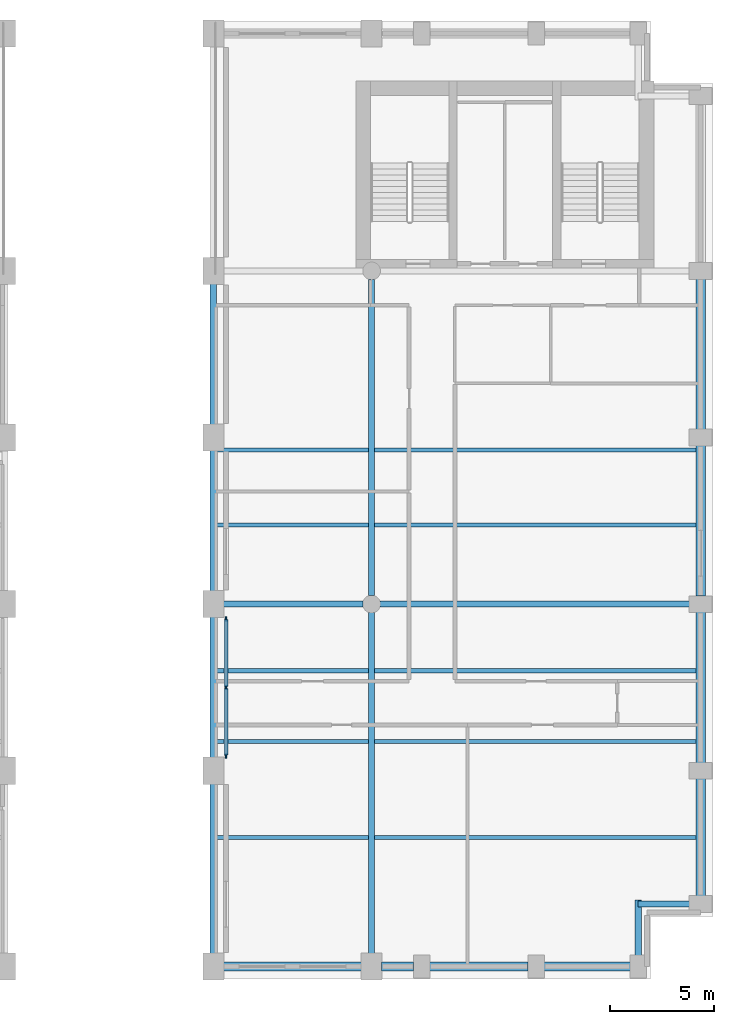
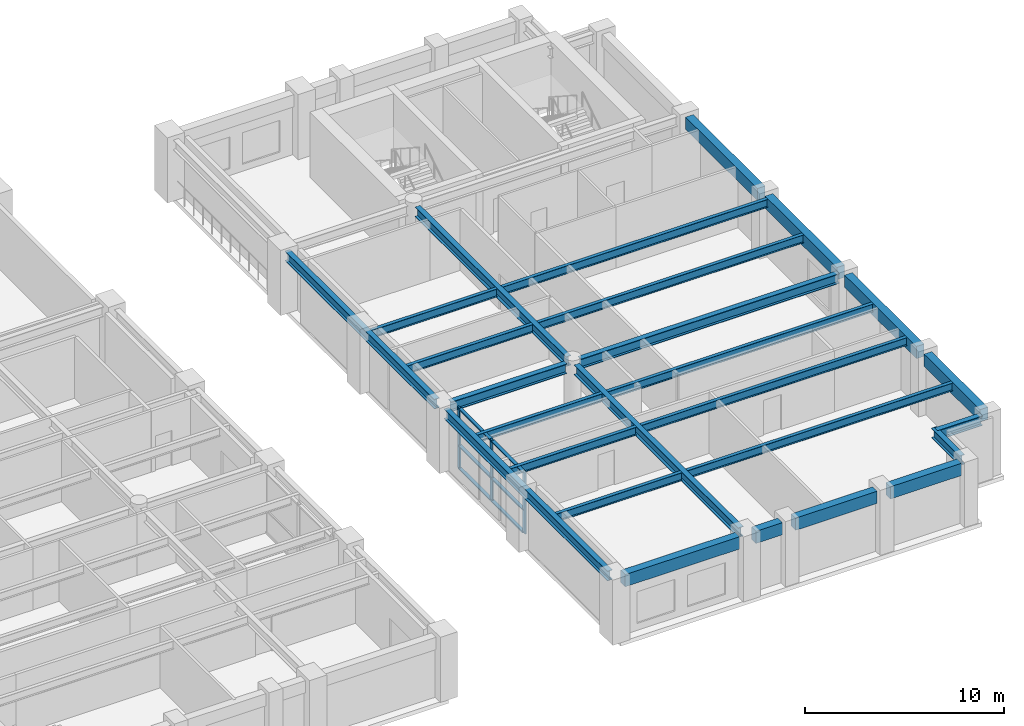
# One storey, part 3 of 10: 26 beams, 9 members, 1 element without a shape of its own.
"""IFC4 building model written with IfcOpenShell, lengths in metres."""

from ifc_helpers import new_model, si_unit, direction, frame, origin, origin_2d, place, context, subcontext, project, spatial, rectangle, i_section, extrude, material, layer, layer_set, material_profile, profile_set, type_object, element, aggregate, save


model = new_model("IFC4")

# Units and contexts
model_context = context("Model", 3, precision=1e-05, world=origin(), true_north=direction((0.0, 1.0)))
body_context = subcontext(model_context, "Body", "Model", "MODEL_VIEW")
ifc_project = project(units=[si_unit("LENGTHUNIT", "METRE"), si_unit("AREAUNIT", "SQUARE_METRE"), si_unit("VOLUMEUNIT", "CUBIC_METRE"), si_unit("PLANEANGLEUNIT", "RADIAN"), si_unit("MASSUNIT", "GRAM", prefix="KILO")], contexts=[model_context])

# Site, building, storey
site_placement = place(None, origin())
site = spatial("IfcSite", under=ifc_project, at=site_placement, CompositionType="ELEMENT")
building_placement = place(site_placement, origin())
building = spatial("IfcBuilding", under=site, at=building_placement, Name="Sulina Concourse Tower", CompositionType="ELEMENT")
storey_placement = place(building_placement, frame((0.0, 0.0, 190.60009765625)))
storey = spatial("IfcBuildingStorey", under=building, at=storey_placement, Name="L46", CompositionType="ELEMENT", Elevation=190.60009765625)

# Beams
ifc_material_1 = material(Name="Steel S355", Category="steel")
ifc_material_profile_1 = material_profile(ifc_material_1, i_section(OverallWidth=0.199951171875, OverallDepth=0.5, WebThickness=0.01025390625, FlangeThickness=0.01611328125, at=origin_2d()), Name="IPE 500")
ifc_profile_set_1 = profile_set([ifc_material_profile_1], Name="Steel S355")
beam_type_1 = type_object("IfcBeamType", Name="Composite Floor Joist IPE500", PredefinedType="JOIST", material=ifc_profile_set_1)
beam_1_placement = place(storey_placement, frame((34.14990234375, 6.800048828125, 3.5), z_axis=(1.0, 0.0, 0.0), x_axis=(0.0, 1.0, 0.0)))
element("IfcBeam", 1, at=beam_1_placement, inside=storey, type_object=beam_type_1, Name="FJ-J06-4-L46", PredefinedType="JOIST", context=body_context, shape_type="SweptSolid", body=[
    extrude(i_section(OverallWidth=0.199951171875, OverallDepth=0.5, WebThickness=0.01025390625, FlangeThickness=0.01611328125, at=origin_2d()), origin(), (0.0, 0.0, 1.0), 7.300048828125),
])
beam_2_placement = place(storey_placement, frame((41.75, 6.800048828125, 3.5), z_axis=(1.0, 0.0, 0.0), x_axis=(0.0, 1.0, 0.0)))
element("IfcBeam", 2, at=beam_2_placement, inside=storey, type_object=beam_type_1, Name="FJ-J06-5-L46", PredefinedType="JOIST", context=body_context, shape_type="SweptSolid", body=[
    extrude(i_section(OverallWidth=0.199951171875, OverallDepth=0.5, WebThickness=0.01025390625, FlangeThickness=0.01611328125, at=origin_2d()), origin(), (0.0, 0.0, 1.0), 15.425048828125),
])
beam_3_placement = place(storey_placement, frame((34.14990234375, 11.39990234375, 3.5), z_axis=(1.0, 0.0, 0.0), x_axis=(0.0, 1.0, 0.0)))
element("IfcBeam", 3, at=beam_3_placement, inside=storey, type_object=beam_type_1, Name="FJ-J11-4-L46", PredefinedType="JOIST", context=body_context, shape_type="SweptSolid", body=[
    extrude(i_section(OverallWidth=0.199951171875, OverallDepth=0.5, WebThickness=0.01025390625, FlangeThickness=0.01611328125, at=origin_2d()), origin(), (0.0, 0.0, 1.0), 7.300048828125),
])
beam_4_placement = place(storey_placement, frame((41.75, 11.39990234375, 3.5), z_axis=(1.0, 0.0, 0.0), x_axis=(0.0, 1.0, 0.0)))
element("IfcBeam", 4, at=beam_4_placement, inside=storey, type_object=beam_type_1, Name="FJ-J11-5-L46", PredefinedType="JOIST", context=body_context, shape_type="SweptSolid", body=[
    extrude(i_section(OverallWidth=0.199951171875, OverallDepth=0.5, WebThickness=0.01025390625, FlangeThickness=0.01611328125, at=origin_2d()), origin(), (0.0, 0.0, 1.0), 15.425048828125),
])
beam_5_placement = place(storey_placement, frame((34.14990234375, 14.800048828125, 3.5), z_axis=(1.0, 0.0, 0.0), x_axis=(0.0, 1.0, 0.0)))
element("IfcBeam", 5, at=beam_5_placement, inside=storey, type_object=beam_type_1, Name="FJ-J15-4-L46", PredefinedType="JOIST", context=body_context, shape_type="SweptSolid", body=[
    extrude(i_section(OverallWidth=0.199951171875, OverallDepth=0.5, WebThickness=0.01025390625, FlangeThickness=0.01611328125, at=origin_2d()), origin(), (0.0, 0.0, 1.0), 7.300048828125),
])
beam_6_placement = place(storey_placement, frame((41.75, 14.800048828125, 3.5), z_axis=(1.0, 0.0, 0.0), x_axis=(0.0, 1.0, 0.0)))
element("IfcBeam", 6, at=beam_6_placement, inside=storey, type_object=beam_type_1, Name="FJ-J15-5-L46", PredefinedType="JOIST", context=body_context, shape_type="SweptSolid", body=[
    extrude(i_section(OverallWidth=0.199951171875, OverallDepth=0.5, WebThickness=0.01025390625, FlangeThickness=0.01611328125, at=origin_2d()), origin(), (0.0, 0.0, 1.0), 15.425048828125),
])
beam_7_placement = place(storey_placement, frame((34.14990234375, 21.800048828125, 3.5), z_axis=(1.0, 0.0, 0.0), x_axis=(0.0, 1.0, 0.0)))
element("IfcBeam", 7, at=beam_7_placement, inside=storey, type_object=beam_type_1, Name="FJ-J22-4-L46", PredefinedType="JOIST", context=body_context, shape_type="SweptSolid", body=[
    extrude(i_section(OverallWidth=0.199951171875, OverallDepth=0.5, WebThickness=0.01025390625, FlangeThickness=0.01611328125, at=origin_2d()), origin(), (0.0, 0.0, 1.0), 7.300048828125),
])
beam_8_placement = place(storey_placement, frame((41.75, 21.800048828125, 3.5), z_axis=(1.0, 0.0, 0.0), x_axis=(0.0, 1.0, 0.0)))
element("IfcBeam", 8, at=beam_8_placement, inside=storey, type_object=beam_type_1, Name="FJ-J22-5-L46", PredefinedType="JOIST", context=body_context, shape_type="SweptSolid", body=[
    extrude(i_section(OverallWidth=0.199951171875, OverallDepth=0.5, WebThickness=0.01025390625, FlangeThickness=0.01611328125, at=origin_2d()), origin(), (0.0, 0.0, 1.0), 15.425048828125),
])
beam_9_placement = place(storey_placement, frame((34.14990234375, 25.39990234375, 3.5), z_axis=(1.0, 0.0, 0.0), x_axis=(0.0, 1.0, 0.0)))
element("IfcBeam", 9, at=beam_9_placement, inside=storey, type_object=beam_type_1, Name="FJ-J25-4-L46", PredefinedType="JOIST", context=body_context, shape_type="SweptSolid", body=[
    extrude(i_section(OverallWidth=0.199951171875, OverallDepth=0.5, WebThickness=0.01025390625, FlangeThickness=0.01611328125, at=origin_2d()), origin(), (0.0, 0.0, 1.0), 7.300048828125),
])
beam_10_placement = place(storey_placement, frame((41.75, 25.39990234375, 3.5), z_axis=(1.0, 0.0, 0.0), x_axis=(0.0, 1.0, 0.0)))
element("IfcBeam", 10, at=beam_10_placement, inside=storey, type_object=beam_type_1, Name="FJ-J25-5-L46", PredefinedType="JOIST", context=body_context, shape_type="SweptSolid", body=[
    extrude(i_section(OverallWidth=0.199951171875, OverallDepth=0.5, WebThickness=0.01025390625, FlangeThickness=0.01611328125, at=origin_2d()), origin(), (0.0, 0.0, 1.0), 15.425048828125),
])
ifc_material_2 = material(Name="Steel S355", Category="steel")
ifc_material_profile_2 = material_profile(ifc_material_2, i_section(OverallWidth=0.300048828125, OverallDepth=0.60009765625, WebThickness=0.015380859375, FlangeThickness=0.030029296875, at=origin_2d()), Name="HE 600 B")
ifc_profile_set_2 = profile_set([ifc_material_profile_2], Name="Steel S355")
beam_type_2 = type_object("IfcBeamType", Name="Floor Primary Girder Zone 3 HE600B", PredefinedType="BEAM", material=ifc_profile_set_2)
beam_11_placement = place(storey_placement, frame((54.39990234375, 3.60009765625, 3.449951171875), z_axis=(1.0, 0.0, 0.0), x_axis=(0.0, 1.0, 0.0)))
element("IfcBeam", 11, at=beam_11_placement, inside=storey, type_object=beam_type_2, Name="TIE-SE-L46", PredefinedType="BEAM", context=body_context, shape_type="SweptSolid", body=[
    extrude(i_section(OverallWidth=0.300048828125, OverallDepth=0.60009765625, WebThickness=0.015380859375, FlangeThickness=0.030029296875, at=origin_2d()), origin(), (0.0, 0.0, 1.0), 2.6201171875),
])
beam_12_placement = place(storey_placement, frame((54.39990234375, 0.97998046875, 3.449951171875), z_axis=(0.0, 1.0, 0.0), x_axis=(-1.0, 0.0, 0.0)))
element("IfcBeam", 12, at=beam_12_placement, inside=storey, type_object=beam_type_2, Name="TIE-SES-L46", PredefinedType="BEAM", context=body_context, shape_type="SweptSolid", body=[
    extrude(i_section(OverallWidth=0.300048828125, OverallDepth=0.60009765625, WebThickness=0.015380859375, FlangeThickness=0.030029296875, at=origin_2d()), origin(), (0.0, 0.0, 1.0), 2.820068359375),
])
beam_13_placement = place(storey_placement, frame((34.47998046875, 18.0, 3.449951171875), z_axis=(1.0, 0.0, 0.0), x_axis=(0.0, 1.0, 0.0)))
element("IfcBeam", 13, at=beam_13_placement, inside=storey, type_object=beam_type_2, Name="FG-EW4-L46", PredefinedType="BEAM", context=body_context, shape_type="SweptSolid", body=[
    extrude(i_section(OverallWidth=0.300048828125, OverallDepth=0.60009765625, WebThickness=0.015380859375, FlangeThickness=0.030029296875, at=origin_2d()), origin(), (0.0, 0.0, 1.0), 6.715087890625),
])
beam_14_placement = place(storey_placement, frame((42.0048828125, 18.0, 3.449951171875), z_axis=(1.0, 0.0, 0.0), x_axis=(0.0, 1.0, 0.0)))
element("IfcBeam", 14, at=beam_14_placement, inside=storey, type_object=beam_type_2, Name="FG-EW5-L46", PredefinedType="BEAM", context=body_context, shape_type="SweptSolid", body=[
    extrude(i_section(OverallWidth=0.300048828125, OverallDepth=0.60009765625, WebThickness=0.015380859375, FlangeThickness=0.030029296875, at=origin_2d()), origin(), (0.0, 0.0, 1.0), 15.01513671875),
])
beam_15_placement = place(storey_placement, frame((34.0, 1.080078125, 3.449951171875), z_axis=(0.0, 1.0, 0.0), x_axis=(-1.0, 0.0, 0.0)))
element("IfcBeam", 15, at=beam_15_placement, inside=storey, type_object=beam_type_2, Name="FG-NSA-34-L46", PredefinedType="BEAM", context=body_context, shape_type="SweptSolid", body=[
    extrude(i_section(OverallWidth=0.300048828125, OverallDepth=0.60009765625, WebThickness=0.015380859375, FlangeThickness=0.030029296875, at=origin_2d()), origin(), (0.0, 0.0, 1.0), 16.43994140625),
])
beam_16_placement = place(storey_placement, frame((34.0, 18.47998046875, 3.449951171875), z_axis=(0.0, 1.0, 0.0), x_axis=(-1.0, 0.0, 0.0)))
element("IfcBeam", 16, at=beam_16_placement, inside=storey, type_object=beam_type_2, Name="FG-NSB-34-L46", PredefinedType="BEAM", context=body_context, shape_type="SweptSolid", body=[
    extrude(i_section(OverallWidth=0.300048828125, OverallDepth=0.60009765625, WebThickness=0.015380859375, FlangeThickness=0.030029296875, at=origin_2d()), origin(), (0.0, 0.0, 1.0), 15.0400390625),
])
beam_17_placement = place(storey_placement, frame((41.60009765625, 1.080078125, 3.449951171875), z_axis=(0.0, 1.0, 0.0), x_axis=(-1.0, 0.0, 0.0)))
element("IfcBeam", 17, at=beam_17_placement, inside=storey, type_object=beam_type_2, Name="FG-NSA-41-L46", PredefinedType="BEAM", context=body_context, shape_type="SweptSolid", body=[
    extrude(i_section(OverallWidth=0.300048828125, OverallDepth=0.60009765625, WebThickness=0.015380859375, FlangeThickness=0.030029296875, at=origin_2d()), origin(), (0.0, 0.0, 1.0), 16.514892578125),
])
beam_18_placement = place(storey_placement, frame((41.60009765625, 18.405029296875, 3.449951171875), z_axis=(0.0, 1.0, 0.0), x_axis=(-1.0, 0.0, 0.0)))
element("IfcBeam", 18, at=beam_18_placement, inside=storey, type_object=beam_type_2, Name="FG-NSB-41-L46", PredefinedType="BEAM", context=body_context, shape_type="SweptSolid", body=[
    extrude(i_section(OverallWidth=0.300048828125, OverallDepth=0.60009765625, WebThickness=0.015380859375, FlangeThickness=0.030029296875, at=origin_2d()), origin(), (0.0, 0.0, 1.0), 15.18994140625),
])
ifc_material_3 = material(Name="Precast concrete C50/60", Category="concrete")
ifc_material_profile_3 = material_profile(ifc_material_3, rectangle(XDim=0.449951171875, YDim=0.75, at=origin_2d()), Name="RC 450x750")
ifc_profile_set_3 = profile_set([ifc_material_profile_3], Name="Precast concrete C50/60")
beam_type_3 = type_object("IfcBeamType", Name="Upper Precast Spandrel Edge Beam 450x750", PredefinedType="BEAM", material=ifc_profile_set_3)
beam_19_placement = place(storey_placement, frame((34.47998046875, 0.60009765625, 3.375), z_axis=(1.0, 0.0, 0.0), x_axis=(0.0, 1.0, 0.0)))
element("IfcBeam", 19, at=beam_19_placement, inside=storey, type_object=beam_type_3, Name="SP-S6-L46", PredefinedType="BEAM", context=body_context, shape_type="SweptSolid", body=[
    extrude(rectangle(XDim=0.449951171875, YDim=0.75, at=origin_2d()), origin(), (0.0, 0.0, 1.0), 6.64013671875),
])
beam_20_placement = place(storey_placement, frame((42.080078125, 0.60009765625, 3.375), z_axis=(1.0, 0.0, 0.0), x_axis=(0.0, 1.0, 0.0)))
element("IfcBeam", 20, at=beam_20_placement, inside=storey, type_object=beam_type_3, Name="SP-S7-L46", PredefinedType="BEAM", context=body_context, shape_type="SweptSolid", body=[
    extrude(rectangle(XDim=0.449951171875, YDim=0.75, at=origin_2d()), origin(), (0.0, 0.0, 1.0), 1.5400390625),
])
beam_21_placement = place(storey_placement, frame((44.3798828125, 0.60009765625, 3.375), z_axis=(1.0, 0.0, 0.0), x_axis=(0.0, 1.0, 0.0)))
element("IfcBeam", 21, at=beam_21_placement, inside=storey, type_object=beam_type_3, Name="SP-S8-L46", PredefinedType="BEAM", context=body_context, shape_type="SweptSolid", body=[
    extrude(rectangle(XDim=0.449951171875, YDim=0.75, at=origin_2d()), origin(), (0.0, 0.0, 1.0), 4.740234375),
])
beam_22_placement = place(storey_placement, frame((49.8798828125, 0.60009765625, 3.375), z_axis=(1.0, 0.0, 0.0), x_axis=(0.0, 1.0, 0.0)))
element("IfcBeam", 22, at=beam_22_placement, inside=storey, type_object=beam_type_3, Name="SP-S9-L46", PredefinedType="BEAM", context=body_context, shape_type="SweptSolid", body=[
    extrude(rectangle(XDim=0.449951171875, YDim=0.75, at=origin_2d()), origin(), (0.0, 0.0, 1.0), 4.14013671875),
])
beam_23_placement = place(storey_placement, frame((57.39990234375, 3.97998046875, 3.375), z_axis=(0.0, 1.0, 0.0), x_axis=(-1.0, 0.0, 0.0)))
element("IfcBeam", 23, at=beam_23_placement, inside=storey, type_object=beam_type_3, Name="SP-E1-L46", PredefinedType="BEAM", context=body_context, shape_type="SweptSolid", body=[
    extrude(rectangle(XDim=0.449951171875, YDim=0.75, at=origin_2d()), origin(), (0.0, 0.0, 1.0), 5.64013671875),
])
for number, where, z_axis, x_axis, name in (
    (24, (57.39990234375, 10.3798828125, 3.375), (0.0, 1.0, 0.0), (-1.0, 0.0, 0.0), "SP-E2-L46"),
    (25, (57.39990234375, 18.3798828125, 3.375), (0.0, 1.0, 0.0), (-1.0, 0.0, 0.0), "SP-E3-L46"),
    (26, (57.39990234375, 26.3798828125, 3.375), (0.0, 1.0, 0.0), (-1.0, 0.0, 0.0), "SP-E4-L46"),
):
    element("IfcBeam", number, at=place(storey_placement, frame(where, z_axis=z_axis, x_axis=x_axis)), inside=storey, type_object=beam_type_3, Name=name, PredefinedType="BEAM", context=body_context, shape_type="SweptSolid", body=[
        extrude(rectangle(XDim=0.449951171875, YDim=0.75, at=origin_2d()), origin(), (0.0, 0.0, 1.0), 7.240234375),
    ])

# Curtain wall, members
ifc_material_4 = material(Name="Aluminium 6063-T6", Category="aluminium")
ifc_layer = layer(ifc_material_4, 0.25)
ifc_layer_set = layer_set([ifc_layer], Name="Aluminium 6063-T6")
curtain_wall_type = type_object("IfcCurtainWallType", Name="Upper Wind-Portal Curtain Wall System", PredefinedType="NOTDEFINED", material=ifc_layer_set)
curtain_wall_placement = place(storey_placement, origin())
curtain_wall = element("IfcCurtainWall", 27, at=curtain_wall_placement, inside=storey, type_object=curtain_wall_type, Name="L46 glazed curtain wall PE2", PredefinedType="NOTDEFINED")
ifc_material_5 = material(Name="Aluminium 6063-T6", Category="aluminium")
ifc_material_profile_4 = material_profile(ifc_material_5, rectangle(XDim=0.080078125, YDim=0.22998046875, at=origin_2d()), Name="MUL 80x230")
ifc_profile_set_4 = profile_set([ifc_material_profile_4], Name="Aluminium 6063-T6")
member_type_1 = type_object("IfcMemberType", Name="Upper Wind-Portal Curtain Wall System Mullion 80x230", PredefinedType="MULLION", material=ifc_profile_set_4)
member_1_placement = place(storey_placement, frame((34.60009765625, 10.7099609375, 0.0), z_axis=(0.0, 0.0, 1.0), x_axis=(-1.0, 0.0, 0.0)))
member_1 = element("IfcMember", 28, at=member_1_placement, type_object=member_type_1, Name="CW-04 mullion 1", PredefinedType="MULLION", context=body_context, shape_type="SweptSolid", body=[
    extrude(rectangle(XDim=0.080078125, YDim=0.22998046875, at=origin_2d()), origin(), (0.0, 0.0, 1.0), 3.75),
])
member_2_placement = place(storey_placement, frame((34.60009765625, 14.0, 0.0), z_axis=(0.0, 0.0, 1.0), x_axis=(-1.0, 0.0, 0.0)))
member_2 = element("IfcMember", 29, at=member_2_placement, type_object=member_type_1, Name="CW-04 mullion 2", PredefinedType="MULLION", context=body_context, shape_type="SweptSolid", body=[
    extrude(rectangle(XDim=0.080078125, YDim=0.22998046875, at=origin_2d()), origin(), (0.0, 0.0, 1.0), 3.75),
])
member_3_placement = place(storey_placement, frame((34.60009765625, 17.2900390625, 0.0), z_axis=(0.0, 0.0, 1.0), x_axis=(-1.0, 0.0, 0.0)))
member_3 = element("IfcMember", 30, at=member_3_placement, type_object=member_type_1, Name="CW-04 mullion 3", PredefinedType="MULLION", context=body_context, shape_type="SweptSolid", body=[
    extrude(rectangle(XDim=0.080078125, YDim=0.22998046875, at=origin_2d()), origin(), (0.0, 0.0, 1.0), 3.75),
])
ifc_material_6 = material(Name="Aluminium 6063-T6", Category="aluminium")
ifc_material_profile_5 = material_profile(ifc_material_6, rectangle(XDim=0.18505859375, YDim=0.074951171875, at=origin_2d()), Name="TRN 75x185")
ifc_profile_set_5 = profile_set([ifc_material_profile_5], Name="Aluminium 6063-T6")
member_type_2 = type_object("IfcMemberType", Name="Upper Wind-Portal Curtain Wall System Transom 75x185", PredefinedType="USERDEFINED", material=ifc_profile_set_5)
member_4_placement = place(storey_placement, frame((34.60009765625, 10.75, 0.037353515625), z_axis=(0.0, 1.0, 0.0), x_axis=(-1.0, 0.0, 0.0)))
member_4 = element("IfcMember", 31, at=member_4_placement, type_object=member_type_2, Name="CW-04 transom 1.1", ObjectType="TRANSOM", PredefinedType="USERDEFINED", context=body_context, shape_type="SweptSolid", body=[
    extrude(rectangle(XDim=0.18505859375, YDim=0.074951171875, at=origin_2d()), origin(), (0.0, 0.0, 1.0), 3.2099609375),
])
member_5_placement = place(storey_placement, frame((34.60009765625, 10.75, 1.4248046875), z_axis=(0.0, 1.0, 0.0), x_axis=(-1.0, 0.0, 0.0)))
member_5 = element("IfcMember", 32, at=member_5_placement, type_object=member_type_2, Name="CW-04 transom 1.2", ObjectType="TRANSOM", PredefinedType="USERDEFINED", context=body_context, shape_type="SweptSolid", body=[
    extrude(rectangle(XDim=0.18505859375, YDim=0.074951171875, at=origin_2d()), origin(), (0.0, 0.0, 1.0), 3.2099609375),
])
member_6_placement = place(storey_placement, frame((34.60009765625, 10.75, 3.71240234375), z_axis=(0.0, 1.0, 0.0), x_axis=(-1.0, 0.0, 0.0)))
member_6 = element("IfcMember", 33, at=member_6_placement, type_object=member_type_2, Name="CW-04 transom 1.3", ObjectType="TRANSOM", PredefinedType="USERDEFINED", context=body_context, shape_type="SweptSolid", body=[
    extrude(rectangle(XDim=0.18505859375, YDim=0.074951171875, at=origin_2d()), origin(), (0.0, 0.0, 1.0), 3.2099609375),
])
member_7_placement = place(storey_placement, frame((34.60009765625, 14.0400390625, 0.037353515625), z_axis=(0.0, 1.0, 0.0), x_axis=(-1.0, 0.0, 0.0)))
member_7 = element("IfcMember", 34, at=member_7_placement, type_object=member_type_2, Name="CW-04 transom 2.1", ObjectType="TRANSOM", PredefinedType="USERDEFINED", context=body_context, shape_type="SweptSolid", body=[
    extrude(rectangle(XDim=0.18505859375, YDim=0.074951171875, at=origin_2d()), origin(), (0.0, 0.0, 1.0), 3.2099609375),
])
member_8_placement = place(storey_placement, frame((34.60009765625, 14.0400390625, 1.4248046875), z_axis=(0.0, 1.0, 0.0), x_axis=(-1.0, 0.0, 0.0)))
member_8 = element("IfcMember", 35, at=member_8_placement, type_object=member_type_2, Name="CW-04 transom 2.2", ObjectType="TRANSOM", PredefinedType="USERDEFINED", context=body_context, shape_type="SweptSolid", body=[
    extrude(rectangle(XDim=0.18505859375, YDim=0.074951171875, at=origin_2d()), origin(), (0.0, 0.0, 1.0), 3.2099609375),
])
member_9_placement = place(storey_placement, frame((34.60009765625, 14.0400390625, 3.71240234375), z_axis=(0.0, 1.0, 0.0), x_axis=(-1.0, 0.0, 0.0)))
member_9 = element("IfcMember", 36, at=member_9_placement, type_object=member_type_2, Name="CW-04 transom 2.3", ObjectType="TRANSOM", PredefinedType="USERDEFINED", context=body_context, shape_type="SweptSolid", body=[
    extrude(rectangle(XDim=0.18505859375, YDim=0.074951171875, at=origin_2d()), origin(), (0.0, 0.0, 1.0), 3.2099609375),
])
aggregate(curtain_wall, [member_1, member_2, member_3, member_4, member_5, member_6, member_7, member_8, member_9])

save(model, "model.ifc")
